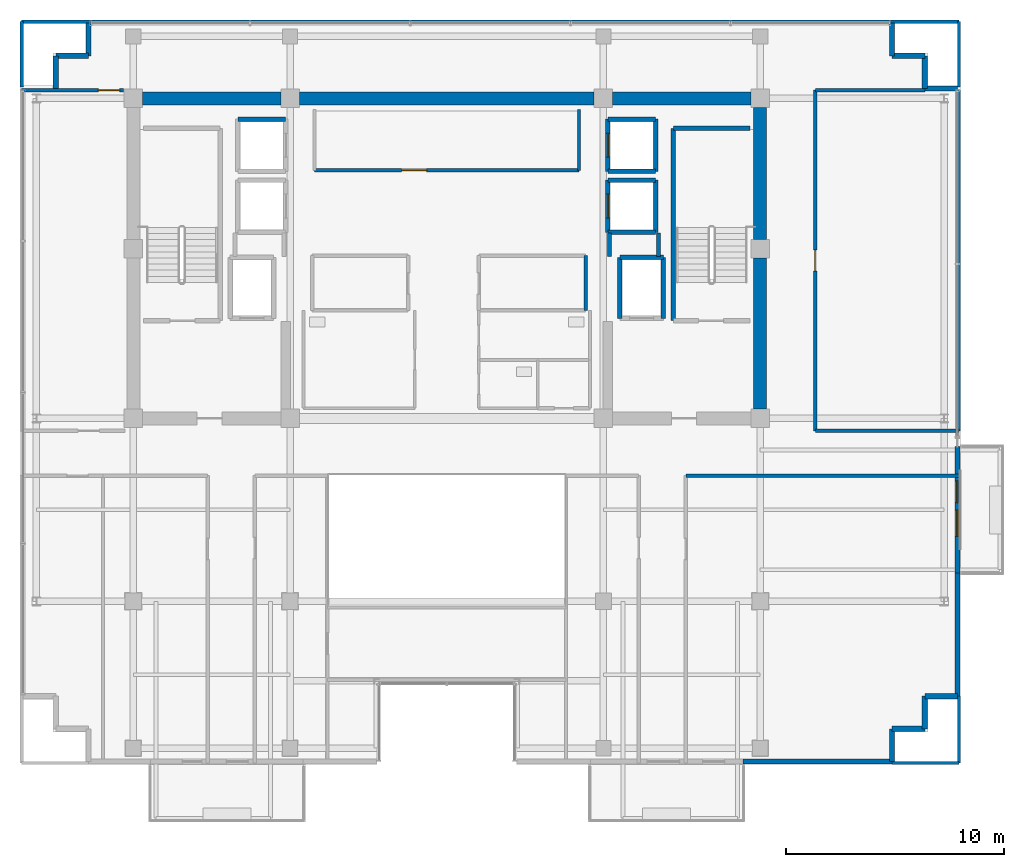
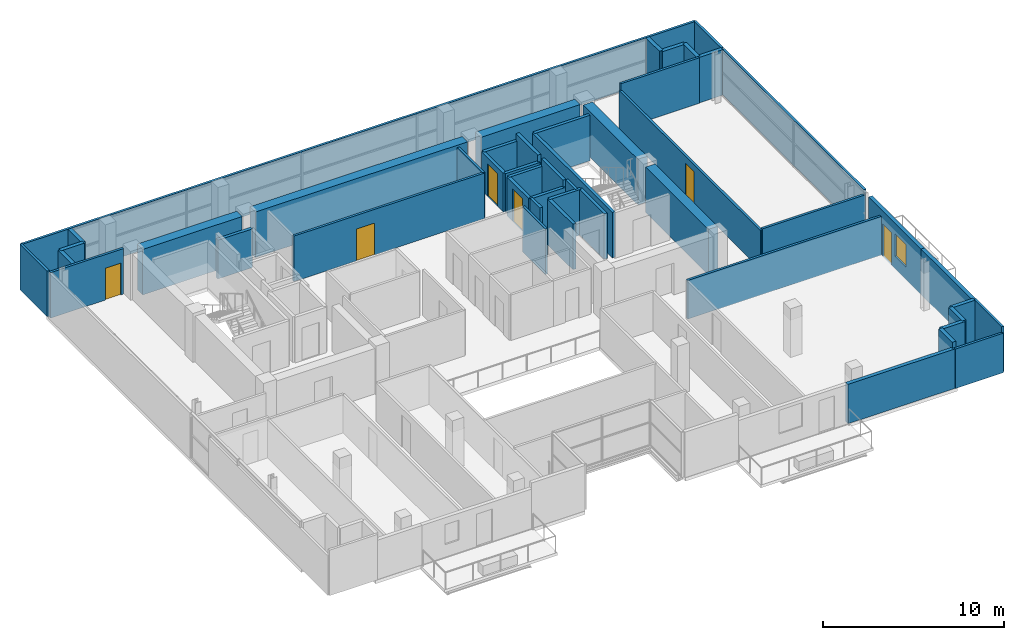
# One storey, part 17 of 22: 49 walls, 6 doors, 1 window, 7 openings.
"""IFC4 building model written with IfcOpenShell, lengths in metres."""

from ifc_helpers import new_model, si_unit, direction, frame, frame_2d, origin, place, context, subcontext, project, spatial, rectangle, extrude, source, transform, mapped, material, layer, layer_set, type_object, element, fill, save


model = new_model("IFC4")

# Units and contexts
model_context = context("Model", 3, precision=1e-05, world=origin(), true_north=direction((0.0, 1.0)))
body_context = subcontext(model_context, "Body", "Model", "MODEL_VIEW")
ifc_project = project(units=[si_unit("LENGTHUNIT", "METRE"), si_unit("AREAUNIT", "SQUARE_METRE"), si_unit("VOLUMEUNIT", "CUBIC_METRE"), si_unit("PLANEANGLEUNIT", "RADIAN"), si_unit("MASSUNIT", "GRAM", prefix="KILO")], contexts=[model_context])

# Site, building, storey
site_placement = place(None, origin())
site = spatial("IfcSite", under=ifc_project, at=site_placement, CompositionType="ELEMENT")
building_placement = place(site_placement, origin())
building = spatial("IfcBuilding", under=site, at=building_placement, Name="Zarnakvel Exchange Tower", CompositionType="ELEMENT")
storey_placement = place(building_placement, frame((0.0, 0.0, 238.60009765625)))
storey = spatial("IfcBuildingStorey", under=building, at=storey_placement, Name="L67", CompositionType="ELEMENT", Elevation=238.60009765625)

# Walls
ifc_material_1 = material(Name="Concrete C50/60", Category="concrete")
ifc_layer_1 = layer(ifc_material_1, 0.60009765625)
ifc_layer_set_1 = layer_set([ifc_layer_1], Name="Concrete C50/60")
wall_type_1 = type_object("IfcWallType", Name="CW-C5", PredefinedType="SHEAR", material=ifc_layer_set_1)
wall_1_placement = place(storey_placement, frame((-13.97509765625, 13.5, 0.0), z_axis=(0.0, 0.0, 1.0), x_axis=(1.0, 0.0, 0.0)))
element("IfcWall", 1, at=wall_1_placement, inside=storey, type_object=wall_type_1, Name="L67 Rear Core Shear Wall N1 (CW-C5)", PredefinedType="SHEAR", context=body_context, shape_type="SweptSolid", body=[
    extrude(rectangle(XDim=6.35009765625, YDim=0.60009765625, at=frame_2d((3.175048828125, 0.0))), origin(), (0.0, 0.0, 1.0), 3.074951171875),
])
wall_2_placement = place(storey_placement, frame((-6.77490234375, 13.5, 0.0), z_axis=(0.0, 0.0, 1.0), x_axis=(1.0, 0.0, 0.0)))
element("IfcWall", 2, at=wall_2_placement, inside=storey, type_object=wall_type_1, Name="L67 Rear Core Shear Wall N2 (CW-C5)", PredefinedType="SHEAR", context=body_context, shape_type="SweptSolid", body=[
    extrude(rectangle(XDim=13.5498046875, YDim=0.60009765625, at=frame_2d((6.77490234375, 0.0))), origin(), (0.0, 0.0, 1.0), 3.074951171875),
])
wall_3_placement = place(storey_placement, frame((7.625, 13.5, 0.0), z_axis=(0.0, 0.0, 1.0), x_axis=(1.0, 0.0, 0.0)))
element("IfcWall", 3, at=wall_3_placement, inside=storey, type_object=wall_type_1, Name="L67 Rear Core Shear Wall N3 (CW-C5)", PredefinedType="SHEAR", context=body_context, shape_type="SweptSolid", body=[
    extrude(rectangle(XDim=6.35009765625, YDim=0.60009765625, at=frame_2d((3.175048828125, 0.0))), origin(), (0.0, 0.0, 1.0), 3.074951171875),
])
wall_4_placement = place(storey_placement, frame((14.39990234375, -0.77490234375, 0.0), z_axis=(0.0, 0.0, 1.0), x_axis=(0.0, 1.0, 0.0)))
element("IfcWall", 4, at=wall_4_placement, inside=storey, type_object=wall_type_1, Name="L67 Rear Core Shear Wall E1 (CW-C5)", PredefinedType="SHEAR", context=body_context, shape_type="SweptSolid", body=[
    extrude(rectangle(XDim=6.949951171875, YDim=0.60009765625, at=frame_2d((3.47509765625, 0.0))), origin(), (0.0, 0.0, 1.0), 3.074951171875),
])
wall_5_placement = place(storey_placement, frame((14.39990234375, 7.02490234375, 0.0), z_axis=(0.0, 0.0, 1.0), x_axis=(0.0, 1.0, 0.0)))
element("IfcWall", 5, at=wall_5_placement, inside=storey, type_object=wall_type_1, Name="L67 Rear Core Shear Wall E2 (CW-C5)", PredefinedType="SHEAR", context=body_context, shape_type="SweptSolid", body=[
    extrude(rectangle(XDim=6.050048828125, YDim=0.60009765625, at=frame_2d((3.02490234375, 0.0))), origin(), (0.0, 0.0, 1.0), 3.074951171875),
])

# Wall, openings, door, window
ifc_material_2 = material(Name="Precast concrete C40/50", Category="concrete")
ifc_layer_2 = layer(ifc_material_2, 0.239990234375)
ifc_layer_set_2 = layer_set([ifc_layer_2], Name="Precast concrete C40/50")
wall_type_2 = type_object("IfcWallType", Name="EW-02", PredefinedType="SOLIDWALL", material=ifc_layer_set_2)
wall_6_placement = place(storey_placement, frame((23.4599609375, -2.5, 0.0), z_axis=(0.0, 0.0, 1.0), x_axis=(0.0, -1.0, 0.0)))
wall_6 = element("IfcWall", 6, at=wall_6_placement, inside=storey, type_object=wall_type_2, Name="L67 Exterior Precast Spandrel Wall EW-BAL-L67-E (EW-02)", PredefinedType="SOLIDWALL", context=body_context, shape_type="SweptSolid", body=[
    extrude(rectangle(XDim=5.800048828125, YDim=0.239990234375, at=frame_2d((2.89990234375, 0.0))), origin(), (0.0, 0.0, 1.0), 3.074951171875),
])
opening_1_placement = place(wall_6_placement, frame((1.56591796875, 0.0, 0.0)))
opening_1 = element("IfcOpeningElement", 7, at=opening_1_placement, cuts=wall_6, Name="Opening BD-L67-03", PredefinedType="OPENING", context=body_context, shape_type="SweptSolid", body=[
    extrude(rectangle(XDim=1.0, YDim=2.199951171875, at=frame_2d((0.5, 1.10009765625))), frame((0.0, 0.1298828125, 0.0), z_axis=(0.0, -1.0, 0.0), x_axis=(1.0, 0.0, 0.0)), (0.0, 0.0, 1.0), 0.260009765625),
])
opening_2_placement = place(wall_6_placement, frame((2.916015625, 0.0, 0.85009765625)))
opening_2 = element("IfcOpeningElement", 8, at=opening_2_placement, cuts=wall_6, Name="Opening WN-04", PredefinedType="OPENING", context=body_context, shape_type="SweptSolid", body=[
    extrude(rectangle(XDim=1.199951171875, YDim=1.5, at=frame_2d((0.60009765625, 0.75))), frame((0.0, 0.1298828125, 0.0), z_axis=(0.0, -1.0, 0.0), x_axis=(1.0, 0.0, 0.0)), (0.0, 0.0, 1.0), 0.260009765625),
])
ifc_material_3 = material(Name="Architectural Bronze Anodised Aluminium", Category="aluminium")
door_type_1 = type_object("IfcDoorType", Name="DT-09", OperationType="NOTDEFINED", PredefinedType="DOOR", material=ifc_material_3)
shared_shape_1 = source(origin(), body_context, "Body", "SweptSolid", [
    extrude(rectangle(XDim=1.0, YDim=2.199951171875, at=frame_2d((0.5, 1.10009765625))), frame((0.0, 0.02490234375, 0.0), z_axis=(0.0, -1.0, 0.0), x_axis=(1.0, 0.0, 0.0)), (0.0, 0.0, 1.0), 0.050048828125),
])
door_1_placement = place(opening_1_placement, origin())
door_1 = element("IfcDoor", 9, at=door_1_placement, inside=storey, type_object=door_type_1, Name="L67 Planted Loggia Balcony Door BD-L67-03", OperationType="SINGLE_SWING_LEFT", OverallHeight=2.199951171875, OverallWidth=1.0, PredefinedType="DOOR", context=body_context, shape_type="MappedRepresentation", body=[
    mapped(shared_shape_1, transform((0.0, 0.0, 0.0), x_axis=(1.0, 0.0, 0.0), y_axis=(0.0, 1.0, 0.0), z_axis=(0.0, 0.0, 1.0), scale=1.0)),
])
fill(opening_1, door_1)
ifc_material_4 = material(Name="Double Low-E Laminated Vision Glass", Category="glass")
window_type = type_object("IfcWindowType", Name="WN-04", PartitioningType="SINGLE_PANEL", PredefinedType="WINDOW", material=ifc_material_4)
shared_shape_2 = source(origin(), body_context, "Body", "SweptSolid", [
    extrude(rectangle(XDim=1.199951171875, YDim=1.5, at=frame_2d((0.60009765625, 0.75))), frame((0.0, 0.030029296875, 0.0), z_axis=(0.0, -1.0, 0.0), x_axis=(1.0, 0.0, 0.0)), (0.0, 0.0, 1.0), 0.06005859375),
])
window_placement = place(opening_2_placement, origin())
window = element("IfcWindow", 10, at=window_placement, inside=storey, type_object=window_type, Name="L67 Loggia Daylight Window (WN-04)", OverallHeight=1.5, OverallWidth=1.199951171875, PartitioningType="SINGLE_PANEL", PredefinedType="WINDOW", context=body_context, shape_type="MappedRepresentation", body=[
    mapped(shared_shape_2, transform((0.0, 0.0, 0.0), x_axis=(1.0, 0.0, 0.0), y_axis=(0.0, 1.0, 0.0), z_axis=(0.0, 0.0, 1.0), scale=1.0)),
])
fill(opening_2, window)

# Walls
for number, where, z_axis, x_axis, name in (
    (11, (-17.9599609375, 15.4599609375, 0.0), (0.0, 0.0, 1.0), (0.0, -1.0, 0.0), "L67 Exterior Precast Spandrel Wall EWC-L67-02 (EW-02)"),
    (12, (-16.4599609375, 15.4599609375, 0.0), (0.0, 0.0, 1.0), (-1.0, 0.0, 0.0), "L67 Exterior Precast Spandrel Wall EWC-L67-03 (EW-02)"),
    (13, (-16.4599609375, 16.9599609375, 0.0), (0.0, 0.0, 1.0), (0.0, -1.0, 0.0), "L67 Exterior Precast Spandrel Wall EWC-L67-04 (EW-02)"),
    (14, (20.4599609375, 15.4599609375, 0.0), (0.0, 0.0, 1.0), (0.0, 1.0, 0.0), "L67 Exterior Precast Spandrel Wall EWC-L67-05 (EW-02)"),
    (15, (21.9599609375, 15.4599609375, 0.0), (0.0, 0.0, 1.0), (-1.0, 0.0, 0.0), "L67 Exterior Precast Spandrel Wall EWC-L67-06 (EW-02)"),
    (16, (21.9599609375, 13.9599609375, 0.0), (0.0, 0.0, 1.0), (0.0, 1.0, 0.0), "L67 Exterior Precast Spandrel Wall EWC-L67-07 (EW-02)"),
    (17, (23.4599609375, 13.9599609375, 0.0), (0.0, 0.0, 1.0), (-1.0, 0.0, 0.0), "L67 Exterior Precast Spandrel Wall EWC-L67-08 (EW-02)"),
):
    element("IfcWall", number, at=place(storey_placement, frame(where, z_axis=z_axis, x_axis=x_axis)), inside=storey, type_object=wall_type_2, Name=name, PredefinedType="SOLIDWALL", context=body_context, shape_type="SweptSolid", body=[
        extrude(rectangle(XDim=1.5, YDim=0.239990234375, at=frame_2d((0.75, 0.0))), origin(), (0.0, 0.0, 1.0), 3.074951171875),
    ])
wall_7_placement = place(storey_placement, frame((23.4599609375, -13.9599609375, 0.0), z_axis=(0.0, 0.0, 1.0), x_axis=(0.0, 1.0, 0.0)))
element("IfcWall", 18, at=wall_7_placement, inside=storey, type_object=wall_type_2, Name="L67 Exterior Precast Spandrel Wall EWC-L67-10 (EW-02)", PredefinedType="SOLIDWALL", context=body_context, shape_type="SweptSolid", body=[
    extrude(rectangle(XDim=5.659912109375, YDim=0.239990234375, at=frame_2d((2.830078125, 0.0))), origin(), (0.0, 0.0, 1.0), 3.074951171875),
])
for number, where, z_axis, x_axis, name in (
    (19, (21.9599609375, -13.9599609375, 0.0), (0.0, 0.0, 1.0), (1.0, 0.0, 0.0), "L67 Exterior Precast Spandrel Wall EWC-L67-11 (EW-02)"),
    (20, (21.9599609375, -15.4599609375, 0.0), (0.0, 0.0, 1.0), (0.0, 1.0, 0.0), "L67 Exterior Precast Spandrel Wall EWC-L67-12 (EW-02)"),
    (21, (20.4599609375, -15.4599609375, 0.0), (0.0, 0.0, 1.0), (1.0, 0.0, 0.0), "L67 Exterior Precast Spandrel Wall EWC-L67-13 (EW-02)"),
    (22, (20.4599609375, -16.9599609375, 0.0), (0.0, 0.0, 1.0), (0.0, 1.0, 0.0), "L67 Exterior Precast Spandrel Wall EWC-L67-14 (EW-02)"),
):
    element("IfcWall", number, at=place(storey_placement, frame(where, z_axis=z_axis, x_axis=x_axis)), inside=storey, type_object=wall_type_2, Name=name, PredefinedType="SOLIDWALL", context=body_context, shape_type="SweptSolid", body=[
        extrude(rectangle(XDim=1.5, YDim=0.239990234375, at=frame_2d((0.75, 0.0))), origin(), (0.0, 0.0, 1.0), 3.074951171875),
    ])
wall_8_placement = place(storey_placement, frame((13.60009765625, -16.9599609375, 0.0), z_axis=(0.0, 0.0, 1.0), x_axis=(1.0, 0.0, 0.0)))
element("IfcWall", 23, at=wall_8_placement, inside=storey, type_object=wall_type_2, Name="L67 Exterior Precast Spandrel Wall EWC-L67-15 (EW-02)", PredefinedType="SOLIDWALL", context=body_context, shape_type="SweptSolid", body=[
    extrude(rectangle(XDim=6.85986328125, YDim=0.239990234375, at=frame_2d((3.429931640625, 0.0))), origin(), (0.0, 0.0, 1.0), 2.664794921875),
])

# Wall, opening, door
ifc_material_5 = material(Name="Fire-Rated Gypsum Stud Partition", Category="gypsum")
ifc_layer_3 = layer(ifc_material_5, 0.14990234375)
ifc_layer_set_3 = layer_set([ifc_layer_3], Name="Fire-Rated Gypsum Stud Partition")
wall_type_3 = type_object("IfcWallType", Name="PT-01", PredefinedType="PARTITIONING", material=ifc_layer_set_3)
wall_9_placement = place(storey_placement, frame((6.080078125, 10.199951171875, 0.0), z_axis=(0.0, 0.0, 1.0), x_axis=(-1.0, 0.0, 0.0)))
wall_9 = element("IfcWall", 24, at=wall_9_placement, inside=storey, type_object=wall_type_3, Name="L67 Partition Wall PWALL-L67-011 (PT-01)", PredefinedType="PARTITIONING", context=body_context, shape_type="SweptSolid", body=[
    extrude(rectangle(XDim=12.16015625, YDim=0.14990234375, at=frame_2d((6.080078125, 0.0))), origin(), (0.0, 0.0, 1.0), 3.074951171875),
])
opening_3_placement = place(wall_9_placement, frame((7.0048828125, 0.0, 0.0)))
opening_3 = element("IfcOpeningElement", 25, at=opening_3_placement, cuts=wall_9, Name="Opening D-L67-05", PredefinedType="OPENING", context=body_context, shape_type="SweptSolid", body=[
    extrude(rectangle(XDim=1.14990234375, YDim=2.14990234375, at=frame_2d((0.574951171875, 1.074951171875))), frame((0.0, 0.0849609375, 0.0), z_axis=(0.0, -1.0, 0.0), x_axis=(1.0, 0.0, 0.0)), (0.0, 0.0, 1.0), 0.169921875),
])
ifc_material_6 = material(Name="Painted Galvanised Steel S355", Category="steel")
door_type_2 = type_object("IfcDoorType", Name="DT-04", OperationType="NOTDEFINED", PredefinedType="DOOR", material=ifc_material_6)
shared_shape_3 = source(origin(), body_context, "Body", "SweptSolid", [
    extrude(rectangle(XDim=1.14990234375, YDim=2.14990234375, at=frame_2d((0.574951171875, 1.074951171875))), frame((0.0, 0.02490234375, 0.0), z_axis=(0.0, -1.0, 0.0), x_axis=(1.0, 0.0, 0.0)), (0.0, 0.0, 1.0), 0.050048828125),
])
door_2_placement = place(opening_3_placement, origin())
door_2 = element("IfcDoor", 26, at=door_2_placement, inside=storey, type_object=door_type_2, Name="L67 Market Data Archive Suite Door D-L67-05", OperationType="SINGLE_SWING_LEFT", OverallHeight=2.14990234375, OverallWidth=1.14990234375, PredefinedType="DOOR", context=body_context, shape_type="MappedRepresentation", body=[
    mapped(shared_shape_3, transform((0.0, 0.0, 0.0), x_axis=(1.0, 0.0, 0.0), y_axis=(0.0, 1.0, 0.0), z_axis=(0.0, 0.0, 1.0), scale=1.0)),
])
fill(opening_3, door_2)

# Walls
wall_10_placement = place(storey_placement, frame((6.080078125, 13.0, 0.0), z_axis=(0.0, 0.0, 1.0), x_axis=(0.0, -1.0, 0.0)))
element("IfcWall", 27, at=wall_10_placement, inside=storey, type_object=wall_type_3, Name="L67 Partition Wall PWALL-L67-013 (PT-01)", PredefinedType="PARTITIONING", context=body_context, shape_type="SweptSolid", body=[
    extrude(rectangle(XDim=2.800048828125, YDim=0.14990234375, at=frame_2d((1.39990234375, 0.0))), origin(), (0.0, 0.0, 1.0), 3.074951171875),
])
wall_11_placement = place(storey_placement, frame((6.3798828125, 6.280029296875, 0.0), z_axis=(0.0, 0.0, 1.0), x_axis=(0.0, -1.0, 0.0)))
element("IfcWall", 28, at=wall_11_placement, inside=storey, type_object=wall_type_3, Name="L67 Partition Wall PWALL-L67-021 (PT-01)", PredefinedType="PARTITIONING", context=body_context, shape_type="SweptSolid", body=[
    extrude(rectangle(XDim=2.52001953125, YDim=0.14990234375, at=frame_2d((1.260009765625, 0.0))), origin(), (0.0, 0.0, 1.0), 3.074951171875),
])
wall_12_placement = place(storey_placement, frame((23.530029296875, -17.030029296875, 0.0), z_axis=(0.0, 0.0, 1.0), x_axis=(-1.0, 0.0, 0.0)))
element("IfcWall", 29, at=wall_12_placement, inside=storey, type_object=wall_type_3, Name="L67 Partition Wall PWALL-L67-040 (PT-01)", PredefinedType="PARTITIONING", context=body_context, shape_type="SweptSolid", body=[
    extrude(rectangle(XDim=3.070068359375, YDim=0.14990234375, at=frame_2d((1.53515625, 0.0))), origin(), (0.0, 0.0, 1.0), 2.664794921875),
])
wall_13_placement = place(storey_placement, frame((10.97998046875, -3.830078125, 0.0), z_axis=(0.0, 0.0, 1.0), x_axis=(1.0, 0.0, 0.0)))
element("IfcWall", 30, at=wall_13_placement, inside=storey, type_object=wall_type_3, Name="L67 Partition Wall PWALL-L67-041 (PT-01)", PredefinedType="PARTITIONING", context=body_context, shape_type="SweptSolid", body=[
    extrude(rectangle(XDim=12.550048828125, YDim=0.14990234375, at=frame_2d((6.27490234375, 0.0))), origin(), (0.0, 0.0, 1.0), 2.614990234375),
])
wall_14_placement = place(storey_placement, frame((23.530029296875, -13.9599609375, 0.0), z_axis=(0.0, 0.0, 1.0), x_axis=(0.0, -1.0, 0.0)))
element("IfcWall", 31, at=wall_14_placement, inside=storey, type_object=wall_type_3, Name="L67 Partition Wall PWALL-L67-043 (PT-01)", PredefinedType="PARTITIONING", context=body_context, shape_type="SweptSolid", body=[
    extrude(rectangle(XDim=3.070068359375, YDim=0.14990234375, at=frame_2d((1.53515625, 0.0))), origin(), (0.0, 0.0, 1.0), 3.074951171875),
])

# Wall, opening, door
wall_15_placement = place(storey_placement, frame((-19.530029296875, 13.8798828125, 0.0), z_axis=(0.0, 0.0, 1.0), x_axis=(1.0, 0.0, 0.0)))
wall_15 = element("IfcWall", 32, at=wall_15_placement, inside=storey, type_object=wall_type_3, Name="L67 Partition Wall PWALL-L67-055 (PT-01)", PredefinedType="PARTITIONING", context=body_context, shape_type="SweptSolid", body=[
    extrude(rectangle(XDim=4.68505859375, YDim=0.14990234375, at=frame_2d((2.342529296875, 0.0))), origin(), (0.0, 0.0, 1.0), 3.074951171875),
])
opening_4_placement = place(wall_15_placement, frame((3.52490234375, 0.0, 0.0)))
opening_4 = element("IfcOpeningElement", 33, at=opening_4_placement, cuts=wall_15, Name="Opening D-L67-20", PredefinedType="OPENING", context=body_context, shape_type="SweptSolid", body=[
    extrude(rectangle(XDim=0.97998046875, YDim=2.14990234375, at=frame_2d((0.489990234375, 1.074951171875))), frame((0.0, 0.0849609375, 0.0), z_axis=(0.0, -1.0, 0.0), x_axis=(1.0, 0.0, 0.0)), (0.0, 0.0, 1.0), 0.169921875),
])
ifc_material_7 = material(Name="Timber Acoustic Veneer", Category="wood")
door_type_3 = type_object("IfcDoorType", Name="DT-05", OperationType="NOTDEFINED", PredefinedType="DOOR", material=ifc_material_7)
shared_shape_4 = source(origin(), body_context, "Body", "SweptSolid", [
    extrude(rectangle(XDim=0.97998046875, YDim=2.14990234375, at=frame_2d((0.489990234375, 1.074951171875))), frame((0.0, 0.02490234375, 0.0), z_axis=(0.0, -1.0, 0.0), x_axis=(1.0, 0.0, 0.0)), (0.0, 0.0, 1.0), 0.050048828125),
])
door_3_placement = place(opening_4_placement, origin())
door_3 = element("IfcDoor", 34, at=door_3_placement, inside=storey, type_object=door_type_3, Name="L67 Fintech Workspace Door D-L67-20", OperationType="SINGLE_SWING_RIGHT", OverallHeight=2.14990234375, OverallWidth=0.97998046875, PredefinedType="DOOR", context=body_context, shape_type="MappedRepresentation", body=[
    mapped(shared_shape_4, transform((0.0, 0.0, 0.0), x_axis=(1.0, 0.0, 0.0), y_axis=(0.0, 1.0, 0.0), z_axis=(0.0, 0.0, 1.0), scale=1.0)),
])
fill(opening_4, door_3)

# Walls
wall_16_placement = place(storey_placement, frame((23.530029296875, -1.77001953125, 0.0), z_axis=(0.0, 0.0, 1.0), x_axis=(-1.0, 0.0, 0.0)))
element("IfcWall", 35, at=wall_16_placement, inside=storey, type_object=wall_type_3, Name="L67 Partition Wall PWALL-L67-057 (PT-01)", PredefinedType="PARTITIONING", context=body_context, shape_type="SweptSolid", body=[
    extrude(rectangle(XDim=6.60009765625, YDim=0.14990234375, at=frame_2d((3.300048828125, 0.0))), origin(), (0.0, 0.0, 1.0), 2.764892578125),
])
wall_17_placement = place(storey_placement, frame((16.929931640625, 13.8798828125, 0.0), z_axis=(0.0, 0.0, 1.0), x_axis=(1.0, 0.0, 0.0)))
element("IfcWall", 36, at=wall_17_placement, inside=storey, type_object=wall_type_3, Name="L67 Partition Wall PWALL-L67-058 (PT-01)", PredefinedType="PARTITIONING", context=body_context, shape_type="SweptSolid", body=[
    extrude(rectangle(XDim=5.030029296875, YDim=0.14990234375, at=frame_2d((2.51513671875, 0.0))), origin(), (0.0, 0.0, 1.0), 3.074951171875),
])

# Wall, opening, door
wall_18_placement = place(storey_placement, frame((16.929931640625, -1.77001953125, 0.0), z_axis=(0.0, 0.0, 1.0), x_axis=(0.0, 1.0, 0.0)))
wall_18 = element("IfcWall", 37, at=wall_18_placement, inside=storey, type_object=wall_type_3, Name="L67 Partition Wall PWALL-L67-059 (PT-01)", PredefinedType="PARTITIONING", context=body_context, shape_type="SweptSolid", body=[
    extrude(rectangle(XDim=15.64990234375, YDim=0.14990234375, at=frame_2d((7.824951171875, 0.0))), origin(), (0.0, 0.0, 1.0), 2.614990234375),
])
opening_5_placement = place(wall_18_placement, frame((7.3349609375, 0.0, 0.0)))
opening_5 = element("IfcOpeningElement", 38, at=opening_5_placement, cuts=wall_18, Name="Opening D-L67-19", PredefinedType="OPENING", context=body_context, shape_type="SweptSolid", body=[
    extrude(rectangle(XDim=0.97998046875, YDim=2.14990234375, at=frame_2d((0.489990234375, 1.074951171875))), frame((0.0, 0.0849609375, 0.0), z_axis=(0.0, -1.0, 0.0), x_axis=(1.0, 0.0, 0.0)), (0.0, 0.0, 1.0), 0.169921875),
])
door_4_placement = place(opening_5_placement, origin())
door_4 = element("IfcDoor", 39, at=door_4_placement, inside=storey, type_object=door_type_3, Name="L67 Tea Pantry Door D-L67-19", OperationType="SINGLE_SWING_LEFT", OverallHeight=2.14990234375, OverallWidth=0.97998046875, PredefinedType="DOOR", context=body_context, shape_type="MappedRepresentation", body=[
    mapped(shared_shape_4, transform((0.0, 0.0, 0.0), x_axis=(1.0, 0.0, 0.0), y_axis=(0.0, 1.0, 0.0), z_axis=(0.0, 0.0, 1.0), scale=1.0)),
])
fill(opening_5, door_4)

# Walls
wall_19_placement = place(storey_placement, frame((23.530029296875, 13.8798828125, 0.0), z_axis=(0.0, 0.0, 1.0), x_axis=(0.0, -1.0, 0.0)))
element("IfcWall", 40, at=wall_19_placement, inside=storey, type_object=wall_type_3, Name="L67 Partition Wall PWALL-L67-060 (PT-01)", PredefinedType="PARTITIONING", context=body_context, shape_type="SweptSolid", body=[
    extrude(rectangle(XDim=15.64990234375, YDim=0.14990234375, at=frame_2d((7.824951171875, 0.0))), origin(), (0.0, 0.0, 1.0), 3.074951171875),
])
wall_20_placement = place(storey_placement, frame((-19.530029296875, 17.030029296875, 0.0), z_axis=(0.0, 0.0, 1.0), x_axis=(1.0, 0.0, 0.0)))
element("IfcWall", 41, at=wall_20_placement, inside=storey, type_object=wall_type_3, Name="L67 Partition Wall PWALL-L67-061 (PT-01)", PredefinedType="PARTITIONING", context=body_context, shape_type="SweptSolid", body=[
    extrude(rectangle(XDim=43.06005859375, YDim=0.14990234375, at=frame_2d((21.530029296875, 0.0))), origin(), (0.0, 0.0, 1.0), 3.074951171875),
])
for number, where, z_axis, x_axis, name in (
    (42, (-19.530029296875, 14.030029296875, 0.0), (0.0, 0.0, 1.0), (0.0, 1.0, 0.0), "L67 Partition Wall PWALL-L67-062 (PT-01)"),
    (43, (23.530029296875, 17.030029296875, 0.0), (0.0, 0.0, 1.0), (0.0, -1.0, 0.0), "L67 Partition Wall PWALL-L67-063 (PT-01)"),
):
    element("IfcWall", number, at=place(storey_placement, frame(where, z_axis=z_axis, x_axis=x_axis)), inside=storey, type_object=wall_type_3, Name=name, PredefinedType="PARTITIONING", context=body_context, shape_type="SweptSolid", body=[
        extrude(rectangle(XDim=3.0, YDim=0.14990234375, at=frame_2d((1.5, 0.0))), origin(), (0.0, 0.0, 1.0), 3.074951171875),
    ])
ifc_layer_4 = layer(ifc_material_5, 0.179931640625)
ifc_layer_set_4 = layer_set([ifc_layer_4], Name="Fire-Rated Gypsum Stud Partition")
wall_type_4 = type_object("IfcWallType", Name="PT-02", PredefinedType="PARTITIONING", material=ifc_layer_set_4)
wall_21_placement = place(storey_placement, frame((7.469970703125, 6.239990234375, 0.0), z_axis=(0.0, 0.0, 1.0), x_axis=(0.0, 1.0, 0.0)))
element("IfcWall", 44, at=wall_21_placement, inside=storey, type_object=wall_type_4, Name="L67 Partition Wall PWALL-L67-009 (PT-02)", PredefinedType="PARTITIONING", context=body_context, shape_type="SweptSolid", body=[
    extrude(rectangle(XDim=1.090087890625, YDim=0.179931640625, at=frame_2d((0.544921875, 0.0))), origin(), (0.0, 0.0, 1.0), 2.614990234375),
])
wall_22_placement = place(storey_placement, frame((9.72998046875, 7.330078125, 0.0), z_axis=(0.0, 0.0, 1.0), x_axis=(0.0, -1.0, 0.0)))
element("IfcWall", 45, at=wall_22_placement, inside=storey, type_object=wall_type_4, Name="L67 Partition Wall PWALL-L67-010 (PT-02)", PredefinedType="PARTITIONING", context=body_context, shape_type="SweptSolid", body=[
    extrude(rectangle(XDim=1.090087890625, YDim=0.179931640625, at=frame_2d((0.544921875, 0.0))), origin(), (0.0, 0.0, 1.0), 3.074951171875),
])
ifc_material_8 = material(Name="Concrete C40/50", Category="concrete")
ifc_layer_5 = layer(ifc_material_8, 0.199951171875)
ifc_layer_set_5 = layer_set([ifc_layer_5], Name="Concrete C40/50")
wall_type_5 = type_object("IfcWallType", Name="SW-01", PredefinedType="SOLIDWALL", material=ifc_layer_set_5)
wall_23_placement = place(storey_placement, frame((7.949951171875, 6.199951171875, 0.0), z_axis=(0.0, 0.0, 1.0), x_axis=(1.0, 0.0, 0.0)))
element("IfcWall", 46, at=wall_23_placement, inside=storey, type_object=wall_type_5, Name="L67 FL-02 Hoistway Wall North", PredefinedType="SOLIDWALL", context=body_context, shape_type="SweptSolid", body=[
    extrude(rectangle(XDim=2.0, YDim=0.199951171875, at=frame_2d((1.0, 0.0))), origin(), (0.0, 0.0, 1.0), 3.074951171875),
])
for number, where, z_axis, x_axis, name in (
    (47, (7.949951171875, 3.39990234375, 0.0), (0.0, 0.0, 1.0), (0.0, 1.0, 0.0), "L67 FL-02 Hoistway Wall West"),
    (48, (9.949951171875, 6.199951171875, 0.0), (0.0, 0.0, 1.0), (0.0, -1.0, 0.0), "L67 FL-02 Hoistway Wall East"),
):
    element("IfcWall", number, at=place(storey_placement, frame(where, z_axis=z_axis, x_axis=x_axis)), inside=storey, type_object=wall_type_5, Name=name, PredefinedType="SOLIDWALL", context=body_context, shape_type="SweptSolid", body=[
        extrude(rectangle(XDim=2.800048828125, YDim=0.199951171875, at=frame_2d((1.39990234375, 0.0))), origin(), (0.0, 0.0, 1.0), 3.074951171875),
    ])
for number, where, z_axis, x_axis, name in (
    (49, (-9.60009765625, 12.550048828125, 0.0), (0.0, 0.0, 1.0), (1.0, 0.0, 0.0), "L67 PL-10 Hoistway Wall North"),
    (50, (9.60009765625, 7.35009765625, 0.0), (0.0, 0.0, 1.0), (-1.0, 0.0, 0.0), "L67 PL-11 Hoistway Wall South"),
    (51, (7.39990234375, 9.75, 0.0), (0.0, 0.0, 1.0), (1.0, 0.0, 0.0), "L67 PL-11 Hoistway Wall North"),
):
    element("IfcWall", number, at=place(storey_placement, frame(where, z_axis=z_axis, x_axis=x_axis)), inside=storey, type_object=wall_type_5, Name=name, PredefinedType="SOLIDWALL", context=body_context, shape_type="SweptSolid", body=[
        extrude(rectangle(XDim=2.2001953125, YDim=0.199951171875, at=frame_2d((1.10009765625, 0.0))), origin(), (0.0, 0.0, 1.0), 2.614990234375),
    ])

# Wall, opening, door
wall_24_placement = place(storey_placement, frame((7.39990234375, 7.35009765625, 0.0), z_axis=(0.0, 0.0, 1.0), x_axis=(0.0, 1.0, 0.0)))
wall_24 = element("IfcWall", 52, at=wall_24_placement, inside=storey, type_object=wall_type_5, Name="L67 PL-11 Hoistway Wall West", PredefinedType="SOLIDWALL", context=body_context, shape_type="SweptSolid", body=[
    extrude(rectangle(XDim=2.39990234375, YDim=0.199951171875, at=frame_2d((1.199951171875, 0.0))), origin(), (0.0, 0.0, 1.0), 2.614990234375),
])
opening_6_placement = place(wall_24_placement, frame((0.64990234375, 0.0, 0.0)))
opening_6 = element("IfcOpeningElement", 53, at=opening_6_placement, cuts=wall_24, Name="Opening LD-PL-11-L67", PredefinedType="OPENING", context=body_context, shape_type="SweptSolid", body=[
    extrude(rectangle(XDim=1.10009765625, YDim=2.199951171875, at=frame_2d((0.550048828125, 1.10009765625))), frame((0.0, 0.10986328125, 0.0), z_axis=(0.0, -1.0, 0.0), x_axis=(1.0, 0.0, 0.0)), (0.0, 0.0, 1.0), 0.219970703125),
])
door_type_4 = type_object("IfcDoorType", Name="LDT-02", OperationType="NOTDEFINED", PredefinedType="DOOR", material=ifc_material_3)
shared_shape_5 = source(origin(), body_context, "Body", "SweptSolid", [
    extrude(rectangle(XDim=1.10009765625, YDim=2.199951171875, at=frame_2d((0.550048828125, 1.10009765625))), frame((0.0, 0.02490234375, 0.0), z_axis=(0.0, -1.0, 0.0), x_axis=(1.0, 0.0, 0.0)), (0.0, 0.0, 1.0), 0.050048828125),
])
door_5_placement = place(opening_6_placement, origin())
door_5 = element("IfcDoor", 54, at=door_5_placement, inside=storey, type_object=door_type_4, Name="L67 PL-11 Lift Landing Door LD-PL-11-L67", OperationType="DOUBLE_DOOR_SLIDING", OverallHeight=2.199951171875, OverallWidth=1.10009765625, PredefinedType="DOOR", context=body_context, shape_type="MappedRepresentation", body=[
    mapped(shared_shape_5, transform((0.0, 0.0, 0.0), x_axis=(1.0, 0.0, 0.0), y_axis=(0.0, 1.0, 0.0), z_axis=(0.0, 0.0, 1.0), scale=1.0)),
])
fill(opening_6, door_5)

# Walls
wall_25_placement = place(storey_placement, frame((9.60009765625, 9.75, 0.0), z_axis=(0.0, 0.0, 1.0), x_axis=(0.0, -1.0, 0.0)))
element("IfcWall", 55, at=wall_25_placement, inside=storey, type_object=wall_type_5, Name="L67 PL-11 Hoistway Wall East", PredefinedType="SOLIDWALL", context=body_context, shape_type="SweptSolid", body=[
    extrude(rectangle(XDim=2.39990234375, YDim=0.199951171875, at=frame_2d((1.199951171875, 0.0))), origin(), (0.0, 0.0, 1.0), 3.074951171875),
])
for number, where, z_axis, x_axis, name in (
    (56, (9.60009765625, 10.14990234375, 0.0), (0.0, 0.0, 1.0), (-1.0, 0.0, 0.0), "L67 PL-12 Hoistway Wall South"),
    (57, (7.39990234375, 12.550048828125, 0.0), (0.0, 0.0, 1.0), (1.0, 0.0, 0.0), "L67 PL-12 Hoistway Wall North"),
):
    element("IfcWall", number, at=place(storey_placement, frame(where, z_axis=z_axis, x_axis=x_axis)), inside=storey, type_object=wall_type_5, Name=name, PredefinedType="SOLIDWALL", context=body_context, shape_type="SweptSolid", body=[
        extrude(rectangle(XDim=2.2001953125, YDim=0.199951171875, at=frame_2d((1.10009765625, 0.0))), origin(), (0.0, 0.0, 1.0), 2.614990234375),
    ])

# Wall, opening, door
wall_26_placement = place(storey_placement, frame((7.39990234375, 10.14990234375, 0.0), z_axis=(0.0, 0.0, 1.0), x_axis=(0.0, 1.0, 0.0)))
wall_26 = element("IfcWall", 58, at=wall_26_placement, inside=storey, type_object=wall_type_5, Name="L67 PL-12 Hoistway Wall West", PredefinedType="SOLIDWALL", context=body_context, shape_type="SweptSolid", body=[
    extrude(rectangle(XDim=2.400146484375, YDim=0.199951171875, at=frame_2d((1.2001953125, 0.0))), origin(), (0.0, 0.0, 1.0), 2.614990234375),
])
opening_7_placement = place(wall_26_placement, frame((0.64990234375, 0.0, 0.0)))
opening_7 = element("IfcOpeningElement", 59, at=opening_7_placement, cuts=wall_26, Name="Opening LD-PL-12-L67", PredefinedType="OPENING", context=body_context, shape_type="SweptSolid", body=[
    extrude(rectangle(XDim=1.10009765625, YDim=2.199951171875, at=frame_2d((0.550048828125, 1.10009765625))), frame((0.0, 0.10986328125, 0.0), z_axis=(0.0, -1.0, 0.0), x_axis=(1.0, 0.0, 0.0)), (0.0, 0.0, 1.0), 0.219970703125),
])
door_6_placement = place(opening_7_placement, origin())
door_6 = element("IfcDoor", 60, at=door_6_placement, inside=storey, type_object=door_type_4, Name="L67 PL-12 Lift Landing Door LD-PL-12-L67", OperationType="DOUBLE_DOOR_SLIDING", OverallHeight=2.199951171875, OverallWidth=1.10009765625, PredefinedType="DOOR", context=body_context, shape_type="MappedRepresentation", body=[
    mapped(shared_shape_5, transform((0.0, 0.0, 0.0), x_axis=(1.0, 0.0, 0.0), y_axis=(0.0, 1.0, 0.0), z_axis=(0.0, 0.0, 1.0), scale=1.0)),
])
fill(opening_7, door_6)

# Walls
wall_27_placement = place(storey_placement, frame((9.60009765625, 12.550048828125, 0.0), z_axis=(0.0, 0.0, 1.0), x_axis=(0.0, -1.0, 0.0)))
element("IfcWall", 61, at=wall_27_placement, inside=storey, type_object=wall_type_5, Name="L67 PL-12 Hoistway Wall East", PredefinedType="SOLIDWALL", context=body_context, shape_type="SweptSolid", body=[
    extrude(rectangle(XDim=2.400146484375, YDim=0.199951171875, at=frame_2d((1.2001953125, 0.0))), origin(), (0.0, 0.0, 1.0), 3.074951171875),
])
ifc_layer_6 = layer(ifc_material_8, 0.199951171875)
ifc_layer_set_6 = layer_set([ifc_layer_6], Name="Concrete C40/50")
wall_type_6 = type_object("IfcWallType", Name="SW-02", PredefinedType="SOLIDWALL", material=ifc_layer_set_6)
wall_28_placement = place(storey_placement, frame((10.409912109375, 12.1298828125, 0.0), z_axis=(0.0, 0.0, 1.0), x_axis=(1.0, 0.0, 0.0)))
element("IfcWall", 62, at=wall_28_placement, inside=storey, type_object=wall_type_6, Name="L67 Stairwell Core Wall PWALL-L67-005 (SW-02)", PredefinedType="SOLIDWALL", context=body_context, shape_type="SweptSolid", body=[
    extrude(rectangle(XDim=3.52001953125, YDim=0.199951171875, at=frame_2d((1.760009765625, 0.0))), origin(), (0.0, 0.0, 1.0), 3.074951171875),
])
wall_29_placement = place(storey_placement, frame((10.409912109375, 3.2900390625, 0.0), z_axis=(0.0, 0.0, 1.0), x_axis=(0.0, 1.0, 0.0)))
element("IfcWall", 63, at=wall_29_placement, inside=storey, type_object=wall_type_6, Name="L67 Stairwell Core Wall PWALL-L67-006 (SW-02)", PredefinedType="SOLIDWALL", context=body_context, shape_type="SweptSolid", body=[
    extrude(rectangle(XDim=8.83984375, YDim=0.199951171875, at=frame_2d((4.419921875, 0.0))), origin(), (0.0, 0.0, 1.0), 3.074951171875),
])

save(model, "model.ifc")
